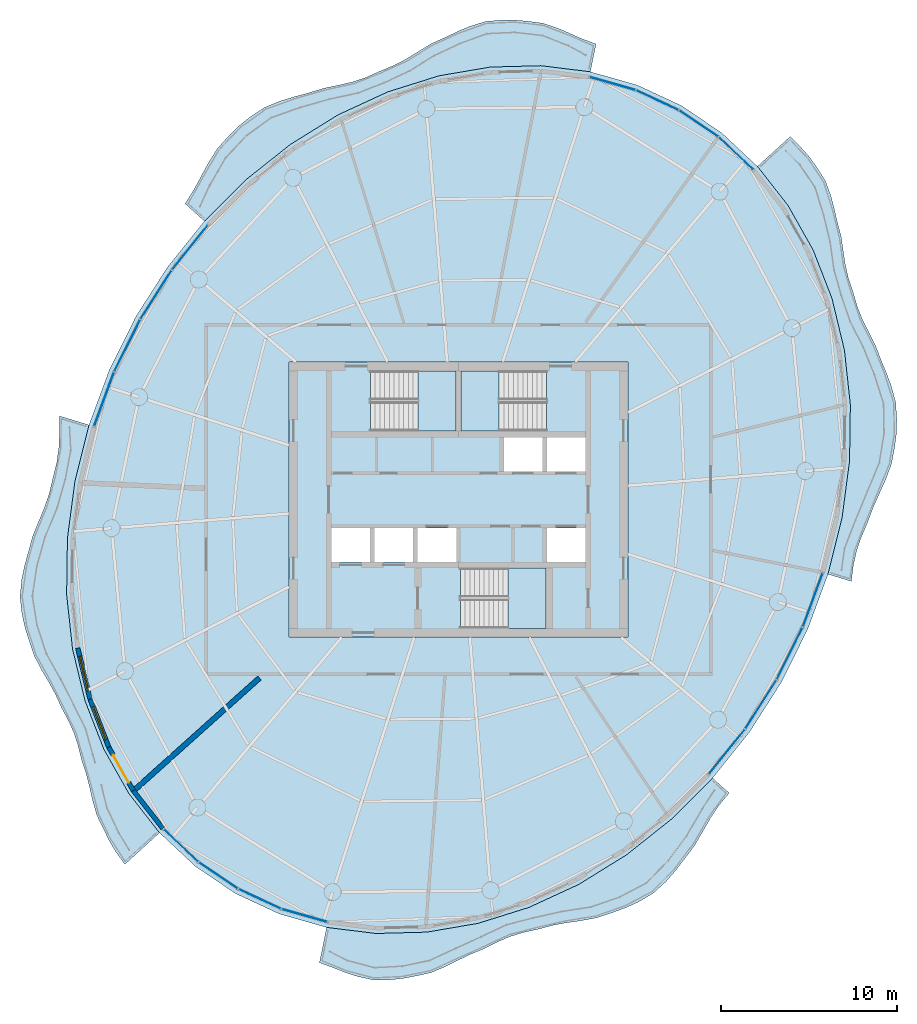
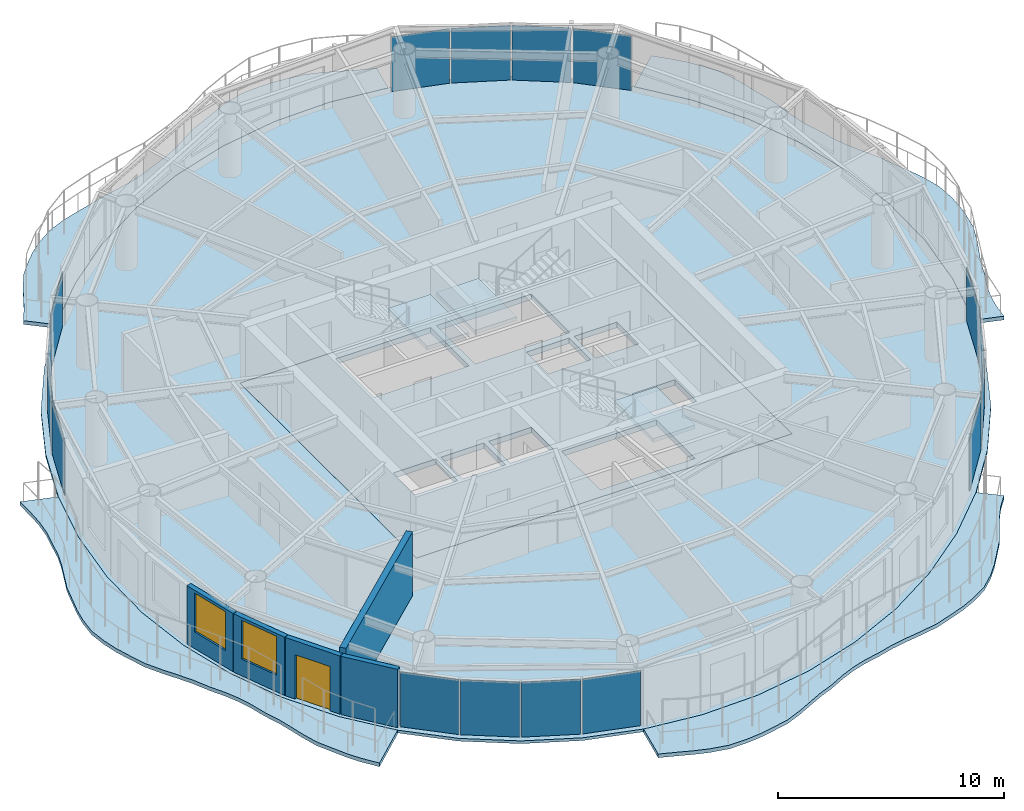
# One storey, part 6 of 13: 16 plates, 9 slabs, 5 walls, 2 windows, 1 door, 3 openings, 19 elements without a shape of their own.
"""IFC4 building model written with IfcOpenShell, lengths in metres."""

from ifc_helpers import new_model, si_unit, direction, frame, frame_2d, origin, origin_2d, place, context, subcontext, project, spatial, polyline, rectangle, outline, extrude, material, layer, layer_set, type_object, element, fill, aggregate, save


model = new_model("IFC4")

# Units and contexts
model_context = context("Model", 3, precision=1e-05, world=origin(), true_north=direction((0.0, 1.0)))
body_context = subcontext(model_context, "Body", "Model", "MODEL_VIEW")
ifc_project = project(units=[si_unit("LENGTHUNIT", "METRE"), si_unit("AREAUNIT", "SQUARE_METRE"), si_unit("VOLUMEUNIT", "CUBIC_METRE"), si_unit("PLANEANGLEUNIT", "RADIAN"), si_unit("MASSUNIT", "GRAM", prefix="KILO")], contexts=[model_context])

# Site, building, storey
site_placement = place(None, origin())
site = spatial("IfcSite", under=ifc_project, at=site_placement, CompositionType="ELEMENT")
building_placement = place(site_placement, origin())
building = spatial("IfcBuilding", under=site, at=building_placement, Name="Vermilion Reach Broadcast Tower", CompositionType="ELEMENT")
storey_placement = place(building_placement, frame((0.0, 0.0, 275.699951171875)))
storey = spatial("IfcBuildingStorey", under=building, at=storey_placement, Name="L68", CompositionType="ELEMENT", Elevation=275.699951171875)

# Slabs
ifc_material_1 = material(Name="Concrete C40/50", Category="concrete")
ifc_layer_1 = layer(ifc_material_1, 0.199951171875)
ifc_layer_set_1 = layer_set([ifc_layer_1], Name="Balcony slab 200")
slab_type_1 = type_object("IfcSlabType", Name="Balcony slab 200", PredefinedType="FLOOR", material=ifc_layer_set_1)
placement_1 = place(storey_placement, frame((0.0, 0.0, -0.199951171875)))
element("IfcSlab", 1, at=placement_1, inside=storey, type_object=slab_type_1, Name="Balcony slab L68 group 1", PredefinedType="FLOOR", context=body_context, shape_type="SweptSolid", body=[
    extrude(outline(polyline([(1.476806640625, 24.2490234375), (-1.3212890625, 24.593505859375), (-4.19921875, 24.51708984375), (-7.10791015625, 24.021240234375), (-9.997802734375, 23.1142578125), (-12.8193359375, 21.81201171875), (-15.52392578125, 20.136474609375), (-18.065673828125, 18.116455078125), (-20.401123046875, 15.786376953125), (-21.498291015625, 16.771484375), (-21.006103515625, 17.560302734375), (-20.59521484375, 18.316162109375), (-20.186279296875, 19.073974609375), (-19.661376953125, 19.906982421875), (-19.019775390625, 20.621337890625), (-18.43701171875, 21.192626953125), (-17.80126953125, 21.697265625), (-16.9951171875, 22.2275390625), (-16.109375, 22.591552734375), (-15.322265625, 22.831787109375), (-14.520751953125, 23.048095703125), (-13.63037109375, 23.31982421875), (-12.744384765625, 23.503173828125), (-11.974365234375, 23.68896484375), (-11.233154296875, 23.9365234375), (-10.451171875, 24.2890625), (-9.672119140625, 24.605224609375), (-8.990478515625, 24.961669921875), (-8.324462890625, 25.368896484375), (-7.54736328125, 25.8447265625), (-6.73291015625, 26.2109375), (-6.040771484375, 26.541015625), (-5.3427734375, 26.835205078125), (-4.453125, 27.107177734375), (-3.550048828125, 27.182861328125), (-2.830078125, 27.185546875), (-2.1083984375, 27.12158203125), (-1.20556640625, 27.00390625), (-0.349853515625, 26.715087890625), (0.32421875, 26.4228515625), (0.99755859375, 26.124267578125), (1.795654296875, 25.82421875), (1.476806640625, 24.2490234375)])), origin(), (0.0, 0.0, 1.0), 0.199951171875),
])
element("IfcSlab", 2, at=placement_1, inside=storey, type_object=slab_type_1, Name="Balcony slab L68 group 2", PredefinedType="FLOOR", context=body_context, shape_type="SweptSolid", body=[
    extrude(outline(polyline([(-26.945556640625, 4.228271484375), (-27.742431640625, 1.02685546875), (-28.1669921875, -2.19189453125), (-28.21240234375, -5.373291015625), (-27.877685546875, -8.462646484375), (-27.168701171875, -11.4072265625), (-26.09765625, -14.15673828125), (-24.6826171875, -16.6640625), (-22.94775390625, -18.885986328125), (-24.910400390625, -20.678466796875), (-25.4453125, -19.94189453125), (-25.8046875, -19.328125), (-26.12158203125, -18.681396484375), (-26.50732421875, -17.88134765625), (-26.754150390625, -17.0068359375), (-26.918701171875, -16.273193359375), (-27.099853515625, -15.549072265625), (-27.363525390625, -14.7568359375), (-27.5673828125, -13.937744140625), (-27.798095703125, -13.23583984375), (-28.095703125, -12.56005859375), (-28.491455078125, -11.822021484375), (-28.849853515625, -11.033203125), (-29.228759765625, -10.345703125), (-29.62841796875, -9.6630859375), (-30.0576171875, -8.841552734375), (-30.357177734375, -7.949951171875), (-30.58935546875, -7.193603515625), (-30.75244140625, -6.429931640625), (-30.855224609375, -5.4970703125), (-30.761962890625, -4.541259765625), (-30.59814453125, -3.748291015625), (-30.37939453125, -2.955810546875), (-30.12939453125, -2.048828125), (-29.7666015625, -1.162109375), (-29.447265625, -0.385498046875), (-29.182373046875, 0.398193359375), (-28.98291015625, 1.262451171875), (-28.767822265625, 2.132080078125), (-28.655517578125, 2.9541015625), (-28.61767578125, 3.79443359375), (-28.610595703125, 4.740966796875), (-26.945556640625, 4.228271484375)])), origin(), (0.0, 0.0, 1.0), 0.199951171875),
])
element("IfcSlab", 3, at=placement_1, inside=storey, type_object=slab_type_1, Name="Balcony slab L68 group 3", PredefinedType="FLOOR", context=body_context, shape_type="SweptSolid", body=[
    extrude(outline(polyline([(-13.476806640625, -24.2490234375), (-10.6787109375, -24.593505859375), (-7.80078125, -24.51708984375), (-4.89208984375, -24.021240234375), (-2.002197265625, -23.1142578125), (0.8193359375, -21.81201171875), (3.52392578125, -20.136474609375), (6.065673828125, -18.116455078125), (8.401123046875, -15.786376953125), (9.34130859375, -16.63037109375), (8.77099609375, -17.324462890625), (8.303955078125, -18.024169921875), (7.876220703125, -18.76318359375), (7.388671875, -19.600830078125), (6.81494140625, -20.363525390625), (6.307861328125, -21.030029296875), (5.763427734375, -21.649658203125), (5.04931640625, -22.304443359375), (4.232421875, -22.79052734375), (3.5048828125, -23.126220703125), (2.740478515625, -23.403076171875), (1.838623046875, -23.70703125), (0.915771484375, -23.87451171875), (0.11376953125, -23.990966796875), (-0.67529296875, -24.135009765625), (-1.520263671875, -24.363525390625), (-2.347412109375, -24.54345703125), (-3.070068359375, -24.768798828125), (-3.7705078125, -25.065673828125), (-4.546142578125, -25.4560546875), (-5.34033203125, -25.78076171875), (-6.03125, -26.117919921875), (-6.720703125, -26.462646484375), (-7.5751953125, -26.820068359375), (-8.45458984375, -27.01171875), (-9.1708984375, -27.1474609375), (-9.88916015625, -27.220458984375), (-10.805419921875, -27.23046875), (-11.690185546875, -27.042236328125), (-12.373291015625, -26.821533203125), (-13.05078125, -26.557373046875), (-13.88134765625, -26.2470703125), (-13.476806640625, -24.2490234375)])), origin(), (0.0, 0.0, 1.0), 0.199951171875),
])
element("IfcSlab", 4, at=placement_1, inside=storey, type_object=slab_type_1, Name="Balcony slab L68 group 4", PredefinedType="FLOOR", context=body_context, shape_type="SweptSolid", body=[
    extrude(outline(polyline([(14.945556640625, -4.228271484375), (15.742431640625, -1.02685546875), (16.1669921875, 2.19189453125), (16.21240234375, 5.373291015625), (15.877685546875, 8.462646484375), (15.168701171875, 11.4072265625), (14.09765625, 14.15673828125), (12.6826171875, 16.6640625), (10.94775390625, 18.885986328125), (12.806640625, 20.583984375), (13.439453125, 19.937255859375), (13.90380859375, 19.405517578125), (14.31640625, 18.83349609375), (14.79541015625, 18.07373046875), (15.11328125, 17.209228515625), (15.30078125, 16.48876953125), (15.4677734375, 15.756591796875), (15.69384765625, 14.913330078125), (15.8173828125, 14.03515625), (15.932861328125, 13.288330078125), (16.1015625, 12.5625), (16.3642578125, 11.7822265625), (16.595703125, 10.971923828125), (16.877197265625, 10.260986328125), (17.21728515625, 9.56396484375), (17.625, 8.766357421875), (17.95458984375, 7.90625), (18.265869140625, 7.158447265625), (18.544921875, 6.407470703125), (18.786865234375, 5.493896484375), (18.844970703125, 4.540283203125), (18.82275390625, 3.7451171875), (18.718994140625, 2.950927734375), (18.54296875, 2.018798828125), (18.20166015625, 1.104736328125), (17.85302734375, 0.33203125), (17.508544921875, -0.44140625), (17.187255859375, -1.30126953125), (16.824462890625, -2.146240234375), (16.559814453125, -2.93017578125), (16.382080078125, -3.73583984375), (16.26953125, -4.635986328125), (14.945556640625, -4.228271484375)])), origin(), (0.0, 0.0, 1.0), 0.199951171875),
])
ifc_material_2 = material(Name="Concrete C40", Category="concrete")
ifc_layer_2 = layer(ifc_material_2, 0.300048828125)
ifc_layer_set_2 = layer_set([ifc_layer_2], Name="Core floor slab 300 mm Concrete C40")
slab_type_2 = type_object("IfcSlabType", Name="Core floor slab 300 mm Concrete C40", PredefinedType="FLOOR", material=ifc_layer_set_2)
slab_5_placement = place(storey_placement, frame((0.0, 0.0, -0.300048828125)))
element("IfcSlab", 5, at=slab_5_placement, inside=storey, type_object=slab_type_2, Name="L68 core floor", PredefinedType="FLOOR", context=body_context, shape_type="SweptSolid", body=[
    extrude(outline(polyline([(-15.60009765625, -7.800048828125), (3.60009765625, -7.800048828125), (3.60009765625, 7.800048828125), (-15.60009765625, 7.800048828125), (-15.60009765625, -7.800048828125)]), holes=[polyline([(-3.433349609375, 1.60009765625), (-1.24169921875, 1.60009765625), (-1.24169921875, 3.530029296875), (-3.433349609375, 3.530029296875), (-3.433349609375, 1.60009765625)]), polyline([(-0.99169921875, 1.60009765625), (1.199951171875, 1.60009765625), (1.199951171875, 3.530029296875), (-0.99169921875, 3.530029296875), (-0.99169921875, 1.60009765625)]), polyline([(-13.199951171875, -3.530029296875), (-11.00830078125, -3.530029296875), (-11.00830078125, -1.60009765625), (-13.199951171875, -1.60009765625), (-13.199951171875, -3.530029296875)]), polyline([(-10.75830078125, -3.530029296875), (-8.566650390625, -3.530029296875), (-8.566650390625, -1.60009765625), (-10.75830078125, -1.60009765625), (-10.75830078125, -3.530029296875)]), polyline([(-8.316650390625, -3.530029296875), (-6.125, -3.530029296875), (-6.125, -1.60009765625), (-8.316650390625, -1.60009765625), (-8.316650390625, -3.530029296875)]), polyline([(-0.99169921875, -3.530029296875), (1.199951171875, -3.530029296875), (1.199951171875, -1.60009765625), (-0.99169921875, -1.60009765625), (-0.99169921875, -3.530029296875)]), polyline([(-10.999267578125, 3.8798828125), (-6.14990234375, 3.8798828125), (-6.14990234375, 7.300048828125), (-10.999267578125, 7.300048828125), (-10.999267578125, 3.8798828125)]), polyline([(-1.000732421875, 7.300048828125), (-5.85009765625, 7.300048828125), (-5.85009765625, 3.8798828125), (-1.000732421875, 3.8798828125), (-1.000732421875, 7.300048828125)]), polyline([(-5.8994140625, -7.300048828125), (-1.050048828125, -7.300048828125), (-1.050048828125, -3.8798828125), (-5.8994140625, -3.8798828125), (-5.8994140625, -7.300048828125)])]), origin(), (0.0, 0.0, 1.0), 0.300048828125),
])

# Stair, slab
ifc_material_3 = material(Name="Concrete C40", Category="concrete")
stair_type = type_object("IfcStairType", Name="Exit stair RC 22 risers 164 mm", PredefinedType="HALF_TURN_STAIR", material=ifc_material_3)
placement_2 = place(storey_placement, origin())
stair_1 = element("IfcStair", 6, at=placement_2, inside=storey, type_object=stair_type, Name="L68 Exit stair ST1", PredefinedType="HALF_TURN_STAIR")
ifc_material_4 = material(Name="Concrete C40", Category="concrete")
ifc_layer_3 = layer(ifc_material_4, 0.199951171875)
ifc_layer_set_3 = layer_set([ifc_layer_3], Name="Exit stair landing Concrete C40")
slab_type_3 = type_object("IfcSlabType", Name="Exit stair landing Concrete C40", PredefinedType="LANDING", material=ifc_layer_set_3)
placement_3 = place(storey_placement, frame((0.0, 0.0, 1.60009765625)))
slab_6 = element("IfcSlab", 7, at=placement_3, type_object=slab_type_3, Name="ST1 landing 1", PredefinedType="LANDING", context=body_context, shape_type="SweptSolid", body=[
    extrude(outline(polyline([(-8.300048828125, 3.8798828125), (-6.14990234375, 3.8798828125), (-6.14990234375, 7.300048828125), (-8.300048828125, 7.300048828125), (-8.300048828125, 3.8798828125)])), origin(), (0.0, 0.0, 1.0), 0.199951171875),
])
aggregate(stair_1, [slab_6])

stair_2 = element("IfcStair", 8, at=placement_2, inside=storey, type_object=stair_type, Name="L68 Exit stair ST2", PredefinedType="HALF_TURN_STAIR")
slab_7 = element("IfcSlab", 9, at=placement_3, type_object=slab_type_3, Name="ST2 landing 1", PredefinedType="LANDING", context=body_context, shape_type="SweptSolid", body=[
    extrude(outline(polyline([(-3.699951171875, 7.300048828125), (-5.85009765625, 7.300048828125), (-5.85009765625, 3.8798828125), (-3.699951171875, 3.8798828125), (-3.699951171875, 7.300048828125)])), origin(), (0.0, 0.0, 1.0), 0.199951171875),
])
aggregate(stair_2, [slab_7])

stair_3 = element("IfcStair", 10, at=placement_2, inside=storey, type_object=stair_type, Name="L68 Exit stair ST3", PredefinedType="HALF_TURN_STAIR")
slab_8 = element("IfcSlab", 11, at=placement_3, type_object=slab_type_3, Name="ST3 landing 1", PredefinedType="LANDING", context=body_context, shape_type="SweptSolid", body=[
    extrude(outline(polyline([(-3.199951171875, -7.300048828125), (-1.050048828125, -7.300048828125), (-1.050048828125, -3.8798828125), (-3.199951171875, -3.8798828125), (-3.199951171875, -7.300048828125)])), origin(), (0.0, 0.0, 1.0), 0.199951171875),
])
aggregate(stair_3, [slab_8])

# Slab
ifc_material_5 = material(Name="Concrete C40", Category="concrete")
ifc_layer_4 = layer(ifc_material_5, 0.14990234375)
ifc_layer_set_4 = layer_set([ifc_layer_4], Name="Floor slab Concrete C40 composite 150")
slab_type_4 = type_object("IfcSlabType", Name="Floor slab Concrete C40 composite 150", PredefinedType="FLOOR", material=ifc_layer_set_4)
slab_9_placement = place(storey_placement, frame((0.0, 0.0, -0.14990234375)))
element("IfcSlab", 12, at=slab_9_placement, inside=storey, type_object=slab_type_4, Name="Floor slab L68", PredefinedType="FLOOR", context=body_context, shape_type="SweptSolid", body=[
    extrude(outline(polyline([(6.64306640625, 22.328369140625), (4.146728515625, 23.489501953125), (1.476806640625, 24.2490234375), (-1.3212890625, 24.593505859375), (-4.19921875, 24.51708984375), (-7.10791015625, 24.021240234375), (-9.997802734375, 23.1142578125), (-12.8193359375, 21.81201171875), (-15.52392578125, 20.136474609375), (-18.065673828125, 18.116455078125), (-20.401123046875, 15.786376953125), (-22.489990234375, 13.18603515625), (-24.296875, 10.3603515625), (-25.79052734375, 7.357177734375), (-26.945556640625, 4.228271484375), (-27.742431640625, 1.02685546875), (-28.1669921875, -2.19189453125), (-28.21240234375, -5.373291015625), (-27.877685546875, -8.462646484375), (-27.168701171875, -11.4072265625), (-26.09765625, -14.15673828125), (-24.6826171875, -16.6640625), (-22.94775390625, -18.885986328125), (-20.923095703125, -20.784912109375), (-18.64306640625, -22.328369140625), (-16.146728515625, -23.489501953125), (-13.476806640625, -24.2490234375), (-10.6787109375, -24.593505859375), (-7.80078125, -24.51708984375), (-4.89208984375, -24.021240234375), (-2.002197265625, -23.1142578125), (0.8193359375, -21.81201171875), (3.52392578125, -20.136474609375), (6.065673828125, -18.116455078125), (8.401123046875, -15.786376953125), (10.489990234375, -13.18603515625), (12.296875, -10.3603515625), (13.79052734375, -7.357177734375), (14.945556640625, -4.228271484375), (15.742431640625, -1.02685546875), (16.1669921875, 2.19189453125), (16.21240234375, 5.373291015625), (15.877685546875, 8.462646484375), (15.168701171875, 11.4072265625), (14.09765625, 14.15673828125), (12.6826171875, 16.6640625), (10.94775390625, 18.885986328125), (8.923095703125, 20.784912109375), (6.64306640625, 22.328369140625)]), holes=[polyline([(-15.60009765625, -7.800048828125), (3.60009765625, -7.800048828125), (3.60009765625, 7.800048828125), (-15.60009765625, 7.800048828125), (-15.60009765625, -7.800048828125)])]), origin(), (0.0, 0.0, 1.0), 0.14990234375),
])

# Curtain wall, plate
ifc_material_6 = material(Name="Low-e laminated clear glass in aluminium frame", Category="aluminium")
curtain_wall_type = type_object("IfcCurtainWallType", Name="Slot curtain wall", PredefinedType="NOTDEFINED", material=ifc_material_6)
curtain_wall_1 = element("IfcCurtainWall", 13, at=placement_2, inside=storey, type_object=curtain_wall_type, Name="Slot curtain wall L68 46", PredefinedType="NOTDEFINED")
ifc_material_7 = material(Name="Low-e laminated clear glass", Category="glass")
ifc_layer_5 = layer(ifc_material_7, 0.028076171875)
ifc_layer_set_5 = layer_set([ifc_layer_5], Name="Slot glass panel")
plate_type = type_object("IfcPlateType", Name="Slot glass panel", PredefinedType="CURTAIN_PANEL", material=ifc_layer_set_5)
plate_1_placement = place(storey_placement, frame((9.73095703125, 19.6171875, 0.0), z_axis=(0.0, 0.0, 1.0), x_axis=(-0.72939175889, 0.684096237428, 0.0)))
plate_1 = element("IfcPlate", 14, at=plate_1_placement, type_object=plate_type, Name="Slot glass panel L68 46", PredefinedType="CURTAIN_PANEL", context=body_context, shape_type="SweptSolid", body=[
    extrude(rectangle(XDim=2.64892578125, YDim=0.028076171875, at=origin_2d()), origin(), (0.0, 0.0, 1.0), 2.949951171875),
])
aggregate(curtain_wall_1, [plate_1])

curtain_wall_2 = element("IfcCurtainWall", 15, at=placement_2, inside=storey, type_object=curtain_wall_type, Name="Slot curtain wall L68 47", PredefinedType="NOTDEFINED")
plate_2_placement = place(storey_placement, frame((7.615478515625, 21.30908203125, 0.0), z_axis=(0.0, 0.0, 1.0), x_axis=(-0.828126394712, 0.560541411834, 0.0)))
plate_2 = element("IfcPlate", 16, at=plate_2_placement, type_object=plate_type, Name="Slot glass panel L68 47", PredefinedType="CURTAIN_PANEL", context=body_context, shape_type="SweptSolid", body=[
    extrude(rectangle(XDim=2.62548828125, YDim=0.028076171875, at=origin_2d()), origin(), (0.0, 0.0, 1.0), 2.949951171875),
])
aggregate(curtain_wall_2, [plate_2])

curtain_wall_3 = element("IfcCurtainWall", 17, at=placement_2, inside=storey, type_object=curtain_wall_type, Name="Slot curtain wall L68 00", PredefinedType="NOTDEFINED")
plate_3_placement = place(storey_placement, frame((5.268798828125, 22.637939453125, 0.0), z_axis=(0.0, 0.0, 1.0), x_axis=(-0.906700100757, 0.421775920706, 0.0)))
plate_3 = element("IfcPlate", 18, at=plate_3_placement, type_object=plate_type, Name="Slot glass panel L68 00", PredefinedType="CURTAIN_PANEL", context=body_context, shape_type="SweptSolid", body=[
    extrude(rectangle(XDim=2.62548828125, YDim=0.028076171875, at=origin_2d()), origin(), (0.0, 0.0, 1.0), 2.949951171875),
])
aggregate(curtain_wall_3, [plate_3])

curtain_wall_4 = element("IfcCurtainWall", 19, at=placement_2, inside=storey, type_object=curtain_wall_type, Name="Slot curtain wall L68 01", PredefinedType="NOTDEFINED")
plate_4_placement = place(storey_placement, frame((2.729736328125, 23.58154296875, 0.0), z_axis=(0.0, 0.0, 1.0), x_axis=(-0.961858730848, 0.273546672237, 0.0)))
plate_4 = element("IfcPlate", 20, at=plate_4_placement, type_object=plate_type, Name="Slot glass panel L68 01", PredefinedType="CURTAIN_PANEL", context=body_context, shape_type="SweptSolid", body=[
    extrude(rectangle(XDim=2.64892578125, YDim=0.028076171875, at=origin_2d()), origin(), (0.0, 0.0, 1.0), 2.949951171875),
])
aggregate(curtain_wall_4, [plate_4])

curtain_wall_5 = element("IfcCurtainWall", 21, at=placement_2, inside=storey, type_object=curtain_wall_type, Name="Slot curtain wall L68 10", PredefinedType="NOTDEFINED")
plate_5_placement = place(storey_placement, frame((-21.212158203125, 14.298583984375, 0.0), z_axis=(0.0, 0.0, 1.0), x_axis=(-0.626298185471, -0.779583595823, 0.0)))
plate_5 = element("IfcPlate", 22, at=plate_5_placement, type_object=plate_type, Name="Slot glass panel L68 10", PredefinedType="CURTAIN_PANEL", context=body_context, shape_type="SweptSolid", body=[
    extrude(rectangle(XDim=3.22265625, YDim=0.028076171875, at=origin_2d()), origin(), (0.0, 0.0, 1.0), 2.949951171875),
])
aggregate(curtain_wall_5, [plate_5])

curtain_wall_6 = element("IfcCurtainWall", 23, at=placement_2, inside=storey, type_object=curtain_wall_type, Name="Slot curtain wall L68 11", PredefinedType="NOTDEFINED")
plate_6_placement = place(storey_placement, frame((-23.14111328125, 11.61181640625, 0.0), z_axis=(0.0, 0.0, 1.0), x_axis=(-0.538687246286, -0.842505816413, 0.0)))
plate_6 = element("IfcPlate", 24, at=plate_6_placement, type_object=plate_type, Name="Slot glass panel L68 11", PredefinedType="CURTAIN_PANEL", context=body_context, shape_type="SweptSolid", body=[
    extrude(rectangle(XDim=3.24169921875, YDim=0.028076171875, at=origin_2d()), origin(), (0.0, 0.0, 1.0), 2.949951171875),
])
aggregate(curtain_wall_6, [plate_6])

curtain_wall_7 = element("IfcCurtainWall", 25, at=placement_2, inside=storey, type_object=curtain_wall_type, Name="Slot curtain wall L68 12", PredefinedType="NOTDEFINED")
plate_7_placement = place(storey_placement, frame((-24.775390625, 8.725341796875, 0.0), z_axis=(0.0, 0.0, 1.0), x_axis=(-0.445349187568, -0.895356968551, 0.0)))
plate_7 = element("IfcPlate", 26, at=plate_7_placement, type_object=plate_type, Name="Slot glass panel L68 12", PredefinedType="CURTAIN_PANEL", context=body_context, shape_type="SweptSolid", body=[
    extrude(rectangle(XDim=3.24169921875, YDim=0.028076171875, at=origin_2d()), origin(), (0.0, 0.0, 1.0), 2.949951171875),
])
aggregate(curtain_wall_7, [plate_7])

curtain_wall_8 = element("IfcCurtainWall", 27, at=placement_2, inside=storey, type_object=curtain_wall_type, Name="Slot curtain wall L68 13", PredefinedType="NOTDEFINED")
plate_8_placement = place(storey_placement, frame((-26.087158203125, 5.68896484375, 0.0), z_axis=(0.0, 0.0, 1.0), x_axis=(-0.346321095385, -0.938116037008, 0.0)))
plate_8 = element("IfcPlate", 28, at=plate_8_placement, type_object=plate_type, Name="Slot glass panel L68 13", PredefinedType="CURTAIN_PANEL", context=body_context, shape_type="SweptSolid", body=[
    extrude(rectangle(XDim=3.22265625, YDim=0.028076171875, at=origin_2d()), origin(), (0.0, 0.0, 1.0), 2.949951171875),
])
aggregate(curtain_wall_8, [plate_8])

curtain_wall_9 = element("IfcCurtainWall", 29, at=placement_2, inside=storey, type_object=curtain_wall_type, Name="Slot curtain wall L68 22", PredefinedType="NOTDEFINED")
plate_9_placement = place(storey_placement, frame((-21.73095703125, -19.6171875, 0.0), z_axis=(0.0, 0.0, 1.0), x_axis=(0.72939175889, -0.684096237428, 0.0)))
plate_9 = element("IfcPlate", 30, at=plate_9_placement, type_object=plate_type, Name="Slot glass panel L68 22", PredefinedType="CURTAIN_PANEL", context=body_context, shape_type="SweptSolid", body=[
    extrude(rectangle(XDim=2.64892578125, YDim=0.028076171875, at=origin_2d()), origin(), (0.0, 0.0, 1.0), 2.949951171875),
])
aggregate(curtain_wall_9, [plate_9])

curtain_wall_10 = element("IfcCurtainWall", 31, at=placement_2, inside=storey, type_object=curtain_wall_type, Name="Slot curtain wall L68 23", PredefinedType="NOTDEFINED")
plate_10_placement = place(storey_placement, frame((-19.615478515625, -21.30908203125, 0.0), z_axis=(0.0, 0.0, 1.0), x_axis=(0.828126394712, -0.560541411834, 0.0)))
plate_10 = element("IfcPlate", 32, at=plate_10_placement, type_object=plate_type, Name="Slot glass panel L68 23", PredefinedType="CURTAIN_PANEL", context=body_context, shape_type="SweptSolid", body=[
    extrude(rectangle(XDim=2.62548828125, YDim=0.028076171875, at=origin_2d()), origin(), (0.0, 0.0, 1.0), 2.949951171875),
])
aggregate(curtain_wall_10, [plate_10])

curtain_wall_11 = element("IfcCurtainWall", 33, at=placement_2, inside=storey, type_object=curtain_wall_type, Name="Slot curtain wall L68 24", PredefinedType="NOTDEFINED")
plate_11_placement = place(storey_placement, frame((-17.268798828125, -22.637939453125, 0.0), z_axis=(0.0, 0.0, 1.0), x_axis=(0.906700100757, -0.421775920706, 0.0)))
plate_11 = element("IfcPlate", 34, at=plate_11_placement, type_object=plate_type, Name="Slot glass panel L68 24", PredefinedType="CURTAIN_PANEL", context=body_context, shape_type="SweptSolid", body=[
    extrude(rectangle(XDim=2.62548828125, YDim=0.028076171875, at=origin_2d()), origin(), (0.0, 0.0, 1.0), 2.949951171875),
])
aggregate(curtain_wall_11, [plate_11])

curtain_wall_12 = element("IfcCurtainWall", 35, at=placement_2, inside=storey, type_object=curtain_wall_type, Name="Slot curtain wall L68 25", PredefinedType="NOTDEFINED")
plate_12_placement = place(storey_placement, frame((-14.729736328125, -23.58154296875, 0.0), z_axis=(0.0, 0.0, 1.0), x_axis=(0.961858730848, -0.273546672237, 0.0)))
plate_12 = element("IfcPlate", 36, at=plate_12_placement, type_object=plate_type, Name="Slot glass panel L68 25", PredefinedType="CURTAIN_PANEL", context=body_context, shape_type="SweptSolid", body=[
    extrude(rectangle(XDim=2.64892578125, YDim=0.028076171875, at=origin_2d()), origin(), (0.0, 0.0, 1.0), 2.949951171875),
])
aggregate(curtain_wall_12, [plate_12])

curtain_wall_13 = element("IfcCurtainWall", 37, at=placement_2, inside=storey, type_object=curtain_wall_type, Name="Slot curtain wall L68 34", PredefinedType="NOTDEFINED")
plate_13_placement = place(storey_placement, frame((9.212158203125, -14.298583984375, 0.0), z_axis=(0.0, 0.0, 1.0), x_axis=(0.626298185471, 0.779583595823, 0.0)))
plate_13 = element("IfcPlate", 38, at=plate_13_placement, type_object=plate_type, Name="Slot glass panel L68 34", PredefinedType="CURTAIN_PANEL", context=body_context, shape_type="SweptSolid", body=[
    extrude(rectangle(XDim=3.22265625, YDim=0.028076171875, at=origin_2d()), origin(), (0.0, 0.0, 1.0), 2.949951171875),
])
aggregate(curtain_wall_13, [plate_13])

curtain_wall_14 = element("IfcCurtainWall", 39, at=placement_2, inside=storey, type_object=curtain_wall_type, Name="Slot curtain wall L68 35", PredefinedType="NOTDEFINED")
plate_14_placement = place(storey_placement, frame((11.14111328125, -11.61181640625, 0.0), z_axis=(0.0, 0.0, 1.0), x_axis=(0.538687246286, 0.842505816413, 0.0)))
plate_14 = element("IfcPlate", 40, at=plate_14_placement, type_object=plate_type, Name="Slot glass panel L68 35", PredefinedType="CURTAIN_PANEL", context=body_context, shape_type="SweptSolid", body=[
    extrude(rectangle(XDim=3.24169921875, YDim=0.028076171875, at=origin_2d()), origin(), (0.0, 0.0, 1.0), 2.949951171875),
])
aggregate(curtain_wall_14, [plate_14])

curtain_wall_15 = element("IfcCurtainWall", 41, at=placement_2, inside=storey, type_object=curtain_wall_type, Name="Slot curtain wall L68 36", PredefinedType="NOTDEFINED")
plate_15_placement = place(storey_placement, frame((12.775390625, -8.725341796875, 0.0), z_axis=(0.0, 0.0, 1.0), x_axis=(0.445349187568, 0.895356968551, 0.0)))
plate_15 = element("IfcPlate", 42, at=plate_15_placement, type_object=plate_type, Name="Slot glass panel L68 36", PredefinedType="CURTAIN_PANEL", context=body_context, shape_type="SweptSolid", body=[
    extrude(rectangle(XDim=3.24169921875, YDim=0.028076171875, at=origin_2d()), origin(), (0.0, 0.0, 1.0), 2.949951171875),
])
aggregate(curtain_wall_15, [plate_15])

curtain_wall_16 = element("IfcCurtainWall", 43, at=placement_2, inside=storey, type_object=curtain_wall_type, Name="Slot curtain wall L68 37", PredefinedType="NOTDEFINED")
plate_16_placement = place(storey_placement, frame((14.087158203125, -5.68896484375, 0.0), z_axis=(0.0, 0.0, 1.0), x_axis=(0.346321095385, 0.938116037008, 0.0)))
plate_16 = element("IfcPlate", 44, at=plate_16_placement, type_object=plate_type, Name="Slot glass panel L68 37", PredefinedType="CURTAIN_PANEL", context=body_context, shape_type="SweptSolid", body=[
    extrude(rectangle(XDim=3.22265625, YDim=0.028076171875, at=origin_2d()), origin(), (0.0, 0.0, 1.0), 2.949951171875),
])
aggregate(curtain_wall_16, [plate_16])

# Wall
ifc_material_8 = material(Name="Double-leaf plasterboard on isolated steel stud", Category="steel")
ifc_layer_6 = layer(ifc_material_8, 0.300048828125)
ifc_layer_set_6 = layer_set([ifc_layer_6], Name="Partition 300 acoustic double leaf")
wall_type_1 = type_object("IfcWallType", Name="Partition 300 acoustic double leaf", PredefinedType="PARTITIONING", material=ifc_layer_set_6)
wall_1_placement = place(storey_placement, frame((-24.328857421875, -16.428466796875, 0.0), z_axis=(0.0, 0.0, 1.0), x_axis=(0.744657419608, 0.667446872359, 0.0)))
element("IfcWall", 45, at=wall_1_placement, inside=storey, type_object=wall_type_1, Name="Partition 68.04", PredefinedType="PARTITIONING", context=body_context, shape_type="SweptSolid", body=[
    extrude(rectangle(XDim=9.4638671875, YDim=0.300048828125, at=frame_2d((4.73193359375, 0.0))), origin(), (0.0, 0.0, 1.0), 3.449951171875),
])

# Wall, opening, window
ifc_material_9 = material(Name="Terracotta rainscreen cladding", Category="masonry")
ifc_layer_7 = layer(ifc_material_9, 0.25)
ifc_layer_set_7 = layer_set([ifc_layer_7], Name="Terracotta rainscreen wall 250")
wall_type_2 = type_object("IfcWallType", Name="Terracotta rainscreen wall 250", PredefinedType="SOLIDWALL", material=ifc_layer_set_7)
wall_2_placement = place(storey_placement, frame((-27.579345703125, -8.42333984375, 0.0), z_axis=(0.0, 0.0, 1.0), x_axis=(0.234039423918, -0.97222710724, 0.0)))
wall_2 = element("IfcWall", 46, at=wall_2_placement, inside=storey, type_object=wall_type_2, Name="External wall L68 18", PredefinedType="SOLIDWALL", context=body_context, shape_type="SweptSolid", body=[
    extrude(rectangle(XDim=2.964599609375, YDim=0.25, at=frame_2d((1.482421875, 0.0))), origin(), (0.0, 0.0, 1.0), 3.150146484375),
])
opening_1_placement = place(wall_2_placement, frame((0.482421875, 0.0, 0.89990234375)))
opening_1 = element("IfcOpeningElement", 47, at=opening_1_placement, cuts=wall_2, Name="Opening W03", PredefinedType="OPENING", context=body_context, shape_type="SweptSolid", body=[
    extrude(rectangle(XDim=2.0, YDim=2.10009765625, at=frame_2d((1.0, 1.050048828125))), frame((0.0, 0.135009765625, 0.0), z_axis=(0.0, -1.0, 0.0), x_axis=(1.0, 0.0, 0.0)), (0.0, 0.0, 1.0), 0.27001953125),
])
ifc_material_10 = material(Name="Low-e laminated clear glass in aluminium frame", Category="aluminium")
window_type = type_object("IfcWindowType", Name="Punched window 2000 x 2100 sill 900", PartitioningType="SINGLE_PANEL", PredefinedType="WINDOW", material=ifc_material_10)
window_1_placement = place(opening_1_placement, origin())
window_1 = element("IfcWindow", 48, at=window_1_placement, inside=storey, type_object=window_type, Name="Window L68 18", OverallHeight=2.10009765625, OverallWidth=2.0, PartitioningType="SINGLE_PANEL", PredefinedType="WINDOW", context=body_context, shape_type="SweptSolid", body=[
    extrude(rectangle(XDim=2.0, YDim=2.10009765625, at=frame_2d((1.0, 1.050048828125))), frame((0.0, 0.030029296875, 0.0), z_axis=(0.0, -1.0, 0.0), x_axis=(1.0, 0.0, 0.0)), (0.0, 0.0, 1.0), 0.06005859375),
])
fill(opening_1, window_1)

wall_3_placement = place(storey_placement, frame((-26.8779296875, -11.329345703125, 0.0), z_axis=(0.0, 0.0, 1.0), x_axis=(0.363026334358, -0.931778879651, 0.0)))
wall_3 = element("IfcWall", 49, at=wall_3_placement, inside=storey, type_object=wall_type_2, Name="External wall L68 19", PredefinedType="SOLIDWALL", context=body_context, shape_type="SweptSolid", body=[
    extrude(rectangle(XDim=2.8837890625, YDim=0.25, at=frame_2d((1.44189453125, 0.0))), origin(), (0.0, 0.0, 1.0), 3.150146484375),
])
opening_2_placement = place(wall_3_placement, frame((0.44189453125, 0.0, 0.89990234375)))
opening_2 = element("IfcOpeningElement", 50, at=opening_2_placement, cuts=wall_3, Name="Opening W03", PredefinedType="OPENING", context=body_context, shape_type="SweptSolid", body=[
    extrude(rectangle(XDim=2.0, YDim=2.10009765625, at=frame_2d((1.0, 1.050048828125))), frame((0.0, 0.135009765625, 0.0), z_axis=(0.0, -1.0, 0.0), x_axis=(1.0, 0.0, 0.0)), (0.0, 0.0, 1.0), 0.27001953125),
])
window_2_placement = place(opening_2_placement, origin())
window_2 = element("IfcWindow", 51, at=window_2_placement, inside=storey, type_object=window_type, Name="Window L68 19", OverallHeight=2.10009765625, OverallWidth=2.0, PartitioningType="SINGLE_PANEL", PredefinedType="WINDOW", context=body_context, shape_type="SweptSolid", body=[
    extrude(rectangle(XDim=2.0, YDim=2.10009765625, at=frame_2d((1.0, 1.050048828125))), frame((0.0, 0.030029296875, 0.0), z_axis=(0.0, -1.0, 0.0), x_axis=(1.0, 0.0, 0.0)), (0.0, 0.0, 1.0), 0.06005859375),
])
fill(opening_2, window_2)

# Wall, opening, door
wall_4_placement = place(storey_placement, frame((-25.820068359375, -14.039794921875, 0.0), z_axis=(0.0, 0.0, 1.0), x_axis=(0.491498689368, -0.870878314318, 0.0)))
wall_4 = element("IfcWall", 52, at=wall_4_placement, inside=storey, type_object=wall_type_2, Name="External wall L68 20", PredefinedType="SOLIDWALL", context=body_context, shape_type="SweptSolid", body=[
    extrude(rectangle(XDim=2.80908203125, YDim=0.25, at=frame_2d((1.404541015625, 0.0))), origin(), (0.0, 0.0, 1.0), 3.150146484375),
])
opening_3_placement = place(wall_4_placement, frame((0.5048828125, 0.0, 0.0)))
opening_3 = element("IfcOpeningElement", 53, at=opening_3_placement, cuts=wall_4, Name="Opening D70", PredefinedType="OPENING", context=body_context, shape_type="SweptSolid", body=[
    extrude(rectangle(XDim=1.800048828125, YDim=2.39990234375, at=frame_2d((0.89990234375, 1.199951171875))), frame((0.0, 0.135009765625, 0.0), z_axis=(0.0, -1.0, 0.0), x_axis=(1.0, 0.0, 0.0)), (0.0, 0.0, 1.0), 0.27001953125),
])
ifc_material_11 = material(Name="Low-e laminated clear glass in aluminium frame", Category="aluminium")
door_type = type_object("IfcDoorType", Name="Balcony sliding door 1800 x 2400", OperationType="DOUBLE_DOOR_SLIDING", PredefinedType="DOOR", material=ifc_material_11)
door_placement = place(opening_3_placement, origin())
door = element("IfcDoor", 54, at=door_placement, inside=storey, type_object=door_type, Name="Balcony door L68 run 05", OperationType="DOUBLE_DOOR_SLIDING", OverallHeight=2.39990234375, OverallWidth=1.800048828125, PredefinedType="DOOR", context=body_context, shape_type="SweptSolid", body=[
    extrude(rectangle(XDim=1.800048828125, YDim=2.39990234375, at=frame_2d((0.89990234375, 1.199951171875))), frame((0.0, 0.02490234375, 0.0), z_axis=(0.0, -1.0, 0.0), x_axis=(1.0, 0.0, 0.0)), (0.0, 0.0, 1.0), 0.050048828125),
])
fill(opening_3, door)

# Wall
wall_5_placement = place(storey_placement, frame((-24.424560546875, -16.50830078125, 0.0), z_axis=(0.0, 0.0, 1.0), x_axis=(0.615339251215, -0.788262396613, 0.0)))
element("IfcWall", 55, at=wall_5_placement, inside=storey, type_object=wall_type_2, Name="External wall L68 21", PredefinedType="SOLIDWALL", context=body_context, shape_type="SweptSolid", body=[
    extrude(rectangle(XDim=2.705078125, YDim=0.25, at=frame_2d((1.3525390625, 0.0))), origin(), (0.0, 0.0, 1.0), 3.150146484375),
])

save(model, "model.ifc")
